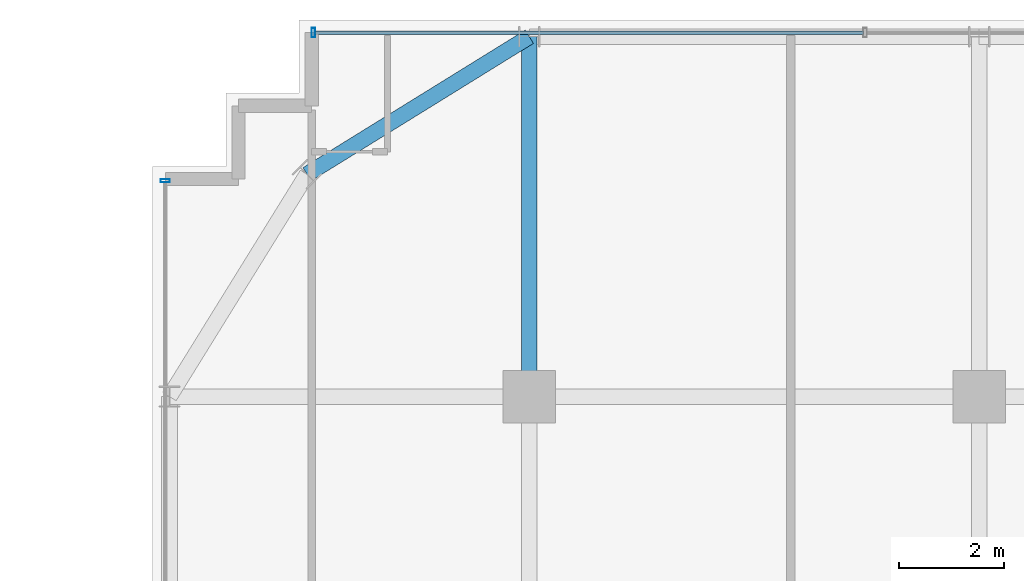
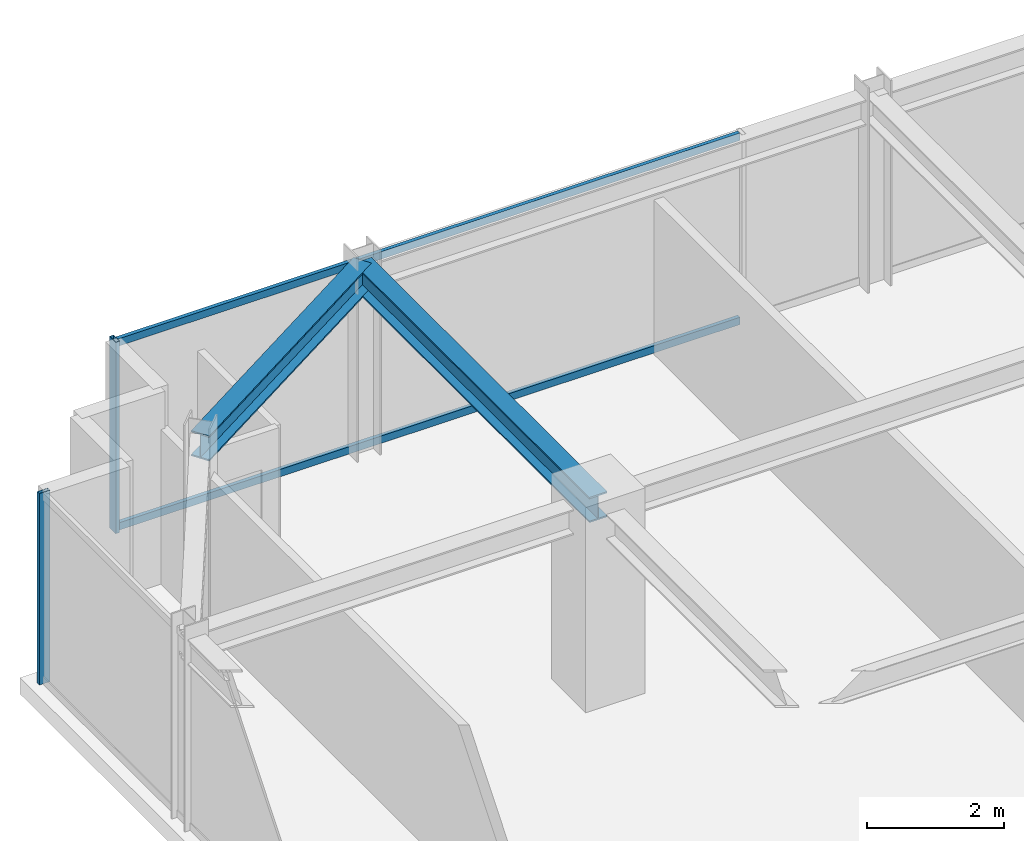
# One storey, part 20 of 35: 4 members, 2 beams, 2 elements without a shape of their own.
"""IFC4 building model written with IfcOpenShell, lengths in metres."""

from ifc_helpers import new_model, si_unit, direction, frame, origin, origin_2d, place, context, subcontext, project, spatial, hollow_rectangle, i_section, extrude, source, transform, mapped, material, material_profile, profile_set, type_object, element, aggregate, save


model = new_model("IFC4")

# Units and contexts
model_context = context("Model", 3, precision=1e-05, world=origin(), true_north=direction((0.0, 1.0)))
body_context = subcontext(model_context, "Body", "Model", "MODEL_VIEW")
ifc_project = project(units=[si_unit("LENGTHUNIT", "METRE"), si_unit("AREAUNIT", "SQUARE_METRE"), si_unit("VOLUMEUNIT", "CUBIC_METRE"), si_unit("PLANEANGLEUNIT", "RADIAN"), si_unit("MASSUNIT", "GRAM", prefix="KILO")], contexts=[model_context])

# Site, building, storey
site_placement = place(None, origin())
site = spatial("IfcSite", under=ifc_project, at=site_placement, CompositionType="ELEMENT")
building_placement = place(site_placement, origin())
building = spatial("IfcBuilding", under=site, at=building_placement, Name="Nahalor Promenade Grand Hotel", CompositionType="ELEMENT")
storey_placement = place(building_placement, frame((0.0, 0.0, 216.0)))
storey = spatial("IfcBuildingStorey", under=building, at=storey_placement, Name="L55", CompositionType="ELEMENT", Elevation=216.0)

# Beams
ifc_material_1 = material(Name="Steel S355JR", Category="steel")
ifc_material_profile_1 = material_profile(ifc_material_1, i_section(OverallWidth=0.3, OverallDepth=0.45, WebThickness=0.014, FlangeThickness=0.026, at=origin_2d()), Name="HEB 450")
ifc_profile_set_1 = profile_set([ifc_material_profile_1], Name="Steel S355JR")
beam_type_1 = type_object("IfcBeamType", Name="Beam-Spandrel-HEB450", PredefinedType="SPANDREL", material=ifc_profile_set_1)
shared_shape_1 = source(origin(), body_context, "Body", "SweptSolid", [
    extrude(i_section(OverallWidth=0.3, OverallDepth=0.45, WebThickness=0.014, FlangeThickness=0.026, at=origin_2d()), origin(), (0.0, 0.0, 1.0), 4.997802734375),
])
beam_1_placement = place(storey_placement, frame((-17.0, 23.8798828125, 3.18505859375), z_axis=(-0.850360908404, -0.526199891161, 0.0), x_axis=(0.526199891161, -0.850360908404, 0.0)))
element("IfcBeam", 1, at=beam_1_placement, inside=storey, type_object=beam_type_1, Name="BM-L55-SPC-NW-1", PredefinedType="SPANDREL", context=body_context, shape_type="MappedRepresentation", body=[
    mapped(shared_shape_1, transform((0.0, 0.0, 0.0), scale=1.0)),
])
ifc_material_profile_2 = material_profile(ifc_material_1, i_section(OverallWidth=0.3, OverallDepth=0.45, WebThickness=0.014, FlangeThickness=0.026, at=origin_2d()), Name="HEB 450")
ifc_profile_set_2 = profile_set([ifc_material_profile_2], Name="Steel S355JR")
beam_type_2 = type_object("IfcBeamType", Name="Beam-Girder-HEB450", PredefinedType="BEAM", material=ifc_profile_set_2)
shared_shape_2 = source(origin(), body_context, "Body", "SweptSolid", [
    extrude(i_section(OverallWidth=0.3, OverallDepth=0.45, WebThickness=0.014, FlangeThickness=0.026, at=origin_2d()), origin(), (0.0, 0.0, 1.0), 6.8798828125),
])
beam_2_placement = place(storey_placement, frame((-17.0, 17.0, 3.18505859375), z_axis=(0.0, 1.0, 0.0), x_axis=(-1.0, 0.0, 0.0)))
element("IfcBeam", 2, at=beam_2_placement, inside=storey, type_object=beam_type_2, Name="BM-L55-GY-0-4", PredefinedType="BEAM", context=body_context, shape_type="MappedRepresentation", body=[
    mapped(shared_shape_2, transform((0.0, 0.0, 0.0), scale=1.0)),
])

# Curtain wall, members
ifc_material_2 = material(Name="Anodised Bronze Aluminium EN AW-6063 T6", Category="aluminium")
curtain_wall_type = type_object("IfcCurtainWallType", Name="CW2 Typical Hotel Flush Bronze Unitised Curtain Wall", PredefinedType="USERDEFINED", material=ifc_material_2)
curtain_wall_1_placement = place(storey_placement, origin())
curtain_wall_1 = element("IfcCurtainWall", 3, at=curtain_wall_1_placement, inside=storey, type_object=curtain_wall_type, Name="L55 Curtain Wall CW-L55-N-1", ObjectType="UNITISED_CURTAIN_WALL", PredefinedType="USERDEFINED")
ifc_material_profile_3 = material_profile(ifc_material_2, hollow_rectangle(XDim=0.065, YDim=0.13, WallThickness=0.004, at=origin_2d()), Name="CWT 65x130x4")
ifc_profile_set_3 = profile_set([ifc_material_profile_3], Name="Anodised Bronze Aluminium EN AW-6063 T6")
member_type_1 = type_object("IfcMemberType", Name="CWT2 Typical Bronze Transom 65x130", PredefinedType="USERDEFINED", material=ifc_profile_set_3)
shared_shape_3 = source(origin(), body_context, "Body", "SweptSolid", [
    extrude(hollow_rectangle(XDim=0.065, YDim=0.13, WallThickness=0.004, at=origin_2d()), origin(), (0.0, 0.0, 1.0), 10.482421875),
])
member_1_placement = place(storey_placement, frame((-21.094970703125, 23.9599609375, 0.06494140625), z_axis=(1.0, 0.0, 0.0), x_axis=(0.0, 1.0, 0.0)))
member_1 = element("IfcMember", 4, at=member_1_placement, type_object=member_type_1, Name="CW-L55-N-1 Transom 0-0", ObjectType="TRANSOM", PredefinedType="USERDEFINED", context=body_context, shape_type="MappedRepresentation", body=[
    mapped(shared_shape_3, transform((0.0, 0.0, 0.0), scale=1.0)),
])
member_2_placement = place(storey_placement, frame((-21.094970703125, 23.9599609375, 3.344970703125), z_axis=(1.0, 0.0, 0.0), x_axis=(0.0, 1.0, 0.0)))
member_2 = element("IfcMember", 5, at=member_2_placement, type_object=member_type_1, Name="CW-L55-N-1 Transom 0-1", ObjectType="TRANSOM", PredefinedType="USERDEFINED", context=body_context, shape_type="MappedRepresentation", body=[
    mapped(shared_shape_3, transform((0.0, 0.0, 0.0), scale=1.0)),
])
ifc_material_profile_4 = material_profile(ifc_material_2, hollow_rectangle(XDim=0.065, YDim=0.18, WallThickness=0.004, at=origin_2d()), Name="CWM 65x180x4")
ifc_profile_set_4 = profile_set([ifc_material_profile_4], Name="Anodised Bronze Aluminium EN AW-6063 T6")
member_type_2 = type_object("IfcMemberType", Name="CWM2 Typical Bronze Mullion 65x180", PredefinedType="MULLION", material=ifc_profile_set_4)
shared_shape_4 = source(origin(), body_context, "Body", "SweptSolid", [
    extrude(hollow_rectangle(XDim=0.065, YDim=0.18, WallThickness=0.004, at=origin_2d()), origin(), (0.0, 0.0, 1.0), 3.409912109375),
])
member_3_placement = place(storey_placement, frame((-21.12744140625, 23.9599609375, 0.0), z_axis=(0.0, 0.0, 1.0), x_axis=(1.0, 0.0, 0.0)))
member_3 = element("IfcMember", 6, at=member_3_placement, type_object=member_type_2, Name="CW-L55-N-1 Mullion 0", PredefinedType="MULLION", context=body_context, shape_type="MappedRepresentation", body=[
    mapped(shared_shape_4, transform((0.0, 0.0, 0.0), scale=1.0)),
])
aggregate(curtain_wall_1, [member_3, member_1, member_2])

# Curtain wall, member
curtain_wall_2_placement = place(storey_placement, origin())
curtain_wall_2 = element("IfcCurtainWall", 7, at=curtain_wall_2_placement, inside=storey, type_object=curtain_wall_type, Name="L55 Curtain Wall CW-L55-W-3", ObjectType="UNITISED_CURTAIN_WALL", PredefinedType="USERDEFINED")
member_4_placement = place(storey_placement, frame((-23.9599609375, 21.12744140625, 0.0), z_axis=(0.0, 0.0, 1.0), x_axis=(0.0, 1.0, 0.0)))
member_4 = element("IfcMember", 8, at=member_4_placement, type_object=member_type_2, Name="CW-L55-W-3 Mullion 3", PredefinedType="MULLION", context=body_context, shape_type="MappedRepresentation", body=[
    mapped(shared_shape_4, transform((0.0, 0.0, 0.0), scale=1.0)),
])
aggregate(curtain_wall_2, [member_4])

save(model, "model.ifc")
